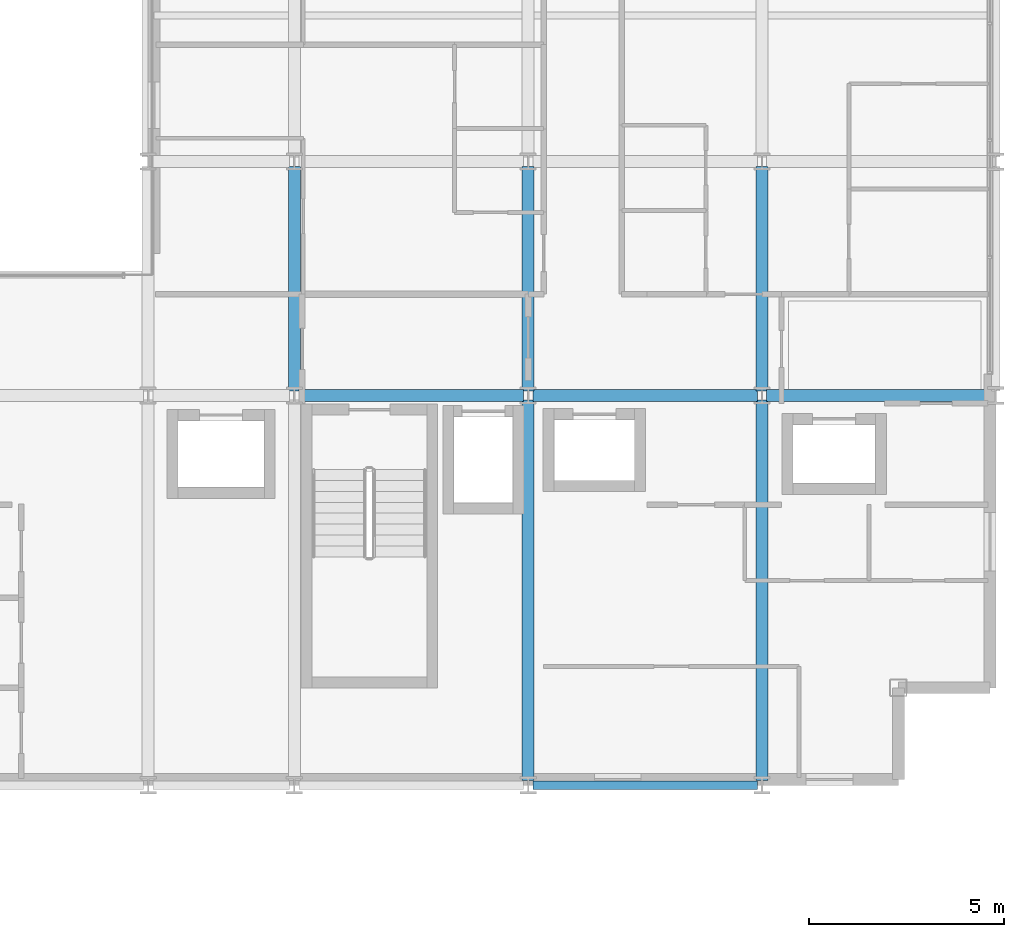
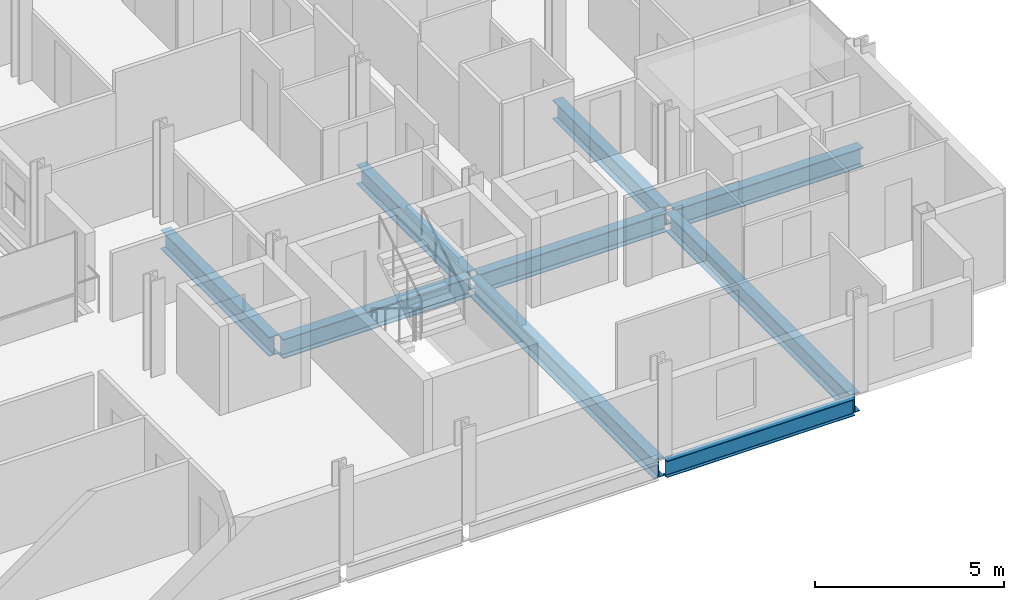
# One storey, part 14 of 41: 9 beams.
"""IFC4 building model written with IfcOpenShell, lengths in metres."""

from ifc_helpers import new_model, si_unit, direction, frame, origin, origin_2d, place, context, subcontext, project, spatial, i_section, extrude, material, material_profile, profile_set, type_object, element, save


model = new_model("IFC4")

# Units and contexts
model_context = context("Model", 3, precision=1e-05, world=origin(), true_north=direction((0.0, 1.0)))
body_context = subcontext(model_context, "Body", "Model", "MODEL_VIEW")
ifc_project = project(units=[si_unit("LENGTHUNIT", "METRE"), si_unit("AREAUNIT", "SQUARE_METRE"), si_unit("VOLUMEUNIT", "CUBIC_METRE"), si_unit("PLANEANGLEUNIT", "RADIAN"), si_unit("MASSUNIT", "GRAM", prefix="KILO")], contexts=[model_context])

# Site, building, storey
site_placement = place(None, origin())
site = spatial("IfcSite", under=ifc_project, at=site_placement, CompositionType="ELEMENT")
building_placement = place(site_placement, origin())
building = spatial("IfcBuilding", under=site, at=building_placement, Name="Brevholm Reach", CompositionType="ELEMENT")
storey_placement = place(building_placement, frame((0.0, 0.0, 86.89990234375)))
storey = spatial("IfcBuildingStorey", under=building, at=storey_placement, Name="L25", CompositionType="ELEMENT", Elevation=86.89990234375)

# Beams
ifc_material_1 = material(Name="Structural Steel S355J2", Category="steel")
ifc_material_profile_1 = material_profile(ifc_material_1, i_section(OverallWidth=0.210693359375, OverallDepth=0.53955078125, WebThickness=0.01171875, FlangeThickness=0.018798828125, FilletRadius=0.0126953125, at=origin_2d()), Name="UKB 533x210x109")
ifc_profile_set_1 = profile_set([ifc_material_profile_1], Name="Structural Steel S355J2")
beam_type_1 = type_object("IfcBeamType", Name="BM-SP539", PredefinedType="SPANDREL", material=ifc_profile_set_1)
beam_1_placement = place(storey_placement, frame((48.1201171875, 0.0, -0.499755859375), z_axis=(1.0, 0.0, 0.0), x_axis=(0.0, 1.0, 0.0)))
element("IfcBeam", 1, at=beam_1_placement, inside=storey, type_object=beam_type_1, Name="L25 SP-01B Framing Beam", PredefinedType="SPANDREL", context=body_context, shape_type="SweptSolid", body=[
    extrude(i_section(OverallWidth=0.210693359375, OverallDepth=0.53955078125, WebThickness=0.01171875, FlangeThickness=0.018798828125, FilletRadius=0.0126953125, at=origin_2d()), origin(), (0.0, 0.0, 1.0), 5.759765625),
])
ifc_material_2 = material(Name="Structural Steel S355J2", Category="steel")
ifc_material_profile_2 = material_profile(ifc_material_2, i_section(OverallWidth=0.30712890625, OverallDepth=0.6201171875, WebThickness=0.01416015625, FlangeThickness=0.023681640625, FilletRadius=0.0166015625, at=origin_2d()), Name="UKB 610x305x179")
ifc_profile_set_2 = profile_set([ifc_material_profile_2], Name="Structural Steel S355J2")
beam_type_2 = type_object("IfcBeamType", Name="BM-UKB610H", PredefinedType="USERDEFINED", material=ifc_profile_set_2)
for number, where, z_axis, x_axis, name in (
    (2, (42.1201171875, 10.0, -0.5400390625), (1.0, 0.0, 0.0), (0.0, 1.0, 0.0), "L25 G-06 Framing Beam"),
    (3, (48.1201171875, 10.0, -0.5400390625), (1.0, 0.0, 0.0), (0.0, 1.0, 0.0), "L25 G-06 Framing Beam"),
    (4, (54.1201171875, 10.0, -0.5400390625), (1.0, 0.0, 0.0), (0.0, 1.0, 0.0), "L25 G-06 Framing Beam"),
    (5, (42.0, 10.1201171875, -0.5400390625), (0.0, 1.0, 0.0), (-1.0, 0.0, 0.0), "L25 G-06 Framing Beam"),
):
    element("IfcBeam", number, at=place(storey_placement, frame(where, z_axis=z_axis, x_axis=x_axis)), inside=storey, type_object=beam_type_2, Name=name, ObjectType="GIRDER", PredefinedType="USERDEFINED", context=body_context, shape_type="SweptSolid", body=[
        extrude(i_section(OverallWidth=0.30712890625, OverallDepth=0.6201171875, WebThickness=0.01416015625, FlangeThickness=0.023681640625, FilletRadius=0.0166015625, at=origin_2d()), origin(), (0.0, 0.0, 1.0), 5.759765625),
    ])
beam_2_placement = place(storey_placement, frame((48.0, 0.1201171875, -0.5400390625), z_axis=(0.0, 1.0, 0.0), x_axis=(-1.0, 0.0, 0.0)))
element("IfcBeam", 6, at=beam_2_placement, inside=storey, type_object=beam_type_2, Name="L25 G-06 Framing Beam", ObjectType="GIRDER", PredefinedType="USERDEFINED", context=body_context, shape_type="SweptSolid", body=[
    extrude(i_section(OverallWidth=0.30712890625, OverallDepth=0.6201171875, WebThickness=0.01416015625, FlangeThickness=0.023681640625, FilletRadius=0.0166015625, at=origin_2d()), origin(), (0.0, 0.0, 1.0), 9.759765625),
])
beam_3_placement = place(storey_placement, frame((48.0, 10.1201171875, -0.5400390625), z_axis=(0.0, 1.0, 0.0), x_axis=(-1.0, 0.0, 0.0)))
element("IfcBeam", 7, at=beam_3_placement, inside=storey, type_object=beam_type_2, Name="L25 G-06 Framing Beam", ObjectType="GIRDER", PredefinedType="USERDEFINED", context=body_context, shape_type="SweptSolid", body=[
    extrude(i_section(OverallWidth=0.30712890625, OverallDepth=0.6201171875, WebThickness=0.01416015625, FlangeThickness=0.023681640625, FilletRadius=0.0166015625, at=origin_2d()), origin(), (0.0, 0.0, 1.0), 5.759765625),
])
beam_4_placement = place(storey_placement, frame((54.0, 0.1201171875, -0.5400390625), z_axis=(0.0, 1.0, 0.0), x_axis=(-1.0, 0.0, 0.0)))
element("IfcBeam", 8, at=beam_4_placement, inside=storey, type_object=beam_type_2, Name="L25 G-06 Framing Beam", ObjectType="GIRDER", PredefinedType="USERDEFINED", context=body_context, shape_type="SweptSolid", body=[
    extrude(i_section(OverallWidth=0.30712890625, OverallDepth=0.6201171875, WebThickness=0.01416015625, FlangeThickness=0.023681640625, FilletRadius=0.0166015625, at=origin_2d()), origin(), (0.0, 0.0, 1.0), 9.759765625),
])
beam_5_placement = place(storey_placement, frame((54.0, 10.1201171875, -0.5400390625), z_axis=(0.0, 1.0, 0.0), x_axis=(-1.0, 0.0, 0.0)))
element("IfcBeam", 9, at=beam_5_placement, inside=storey, type_object=beam_type_2, Name="L25 G-06 Framing Beam", ObjectType="GIRDER", PredefinedType="USERDEFINED", context=body_context, shape_type="SweptSolid", body=[
    extrude(i_section(OverallWidth=0.30712890625, OverallDepth=0.6201171875, WebThickness=0.01416015625, FlangeThickness=0.023681640625, FilletRadius=0.0166015625, at=origin_2d()), origin(), (0.0, 0.0, 1.0), 5.759765625),
])

save(model, "model.ifc")
